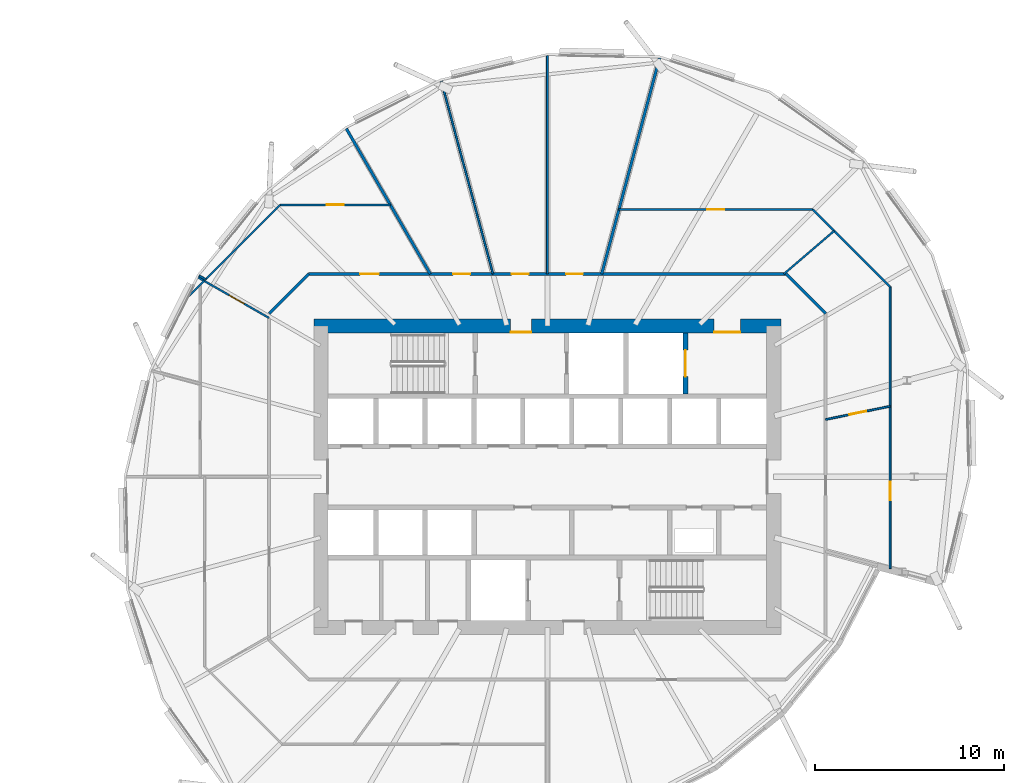
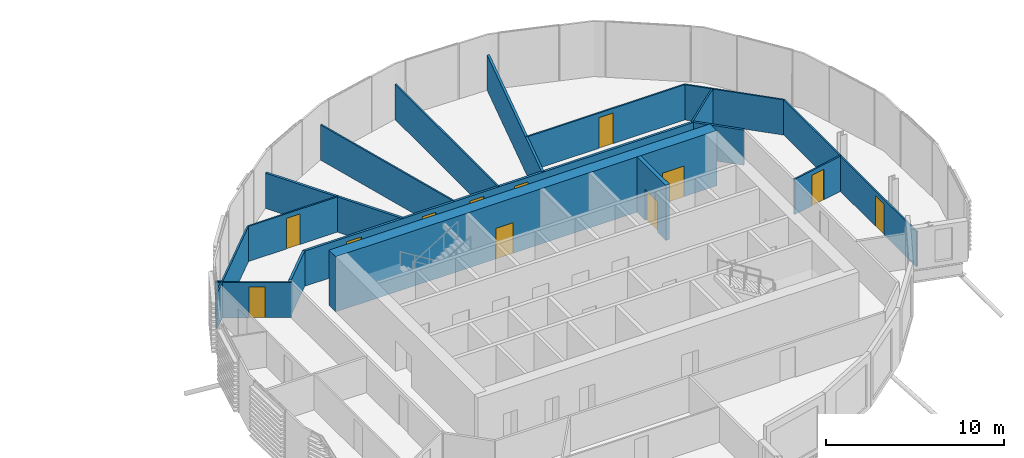
# One storey, part 27 of 42: 19 walls, 12 doors, 12 openings.
"""IFC4 building model written with IfcOpenShell, lengths in metres."""

import ifcopenshell
import ifcopenshell.guid

model = None  # the IFC model being written
_history = None  # IfcOwnerHistory: only IFC2X3 demands one
_inside = {}  # id of a spatial element -> (the spatial element, [elements in it])
_under = {}  # id of a project, library or spatial element -> (it, [spatial elements below it])
_declared = {}  # id of a project -> (the project, [libraries it declares])
_typed = {}  # id of a type object -> (the type object, [elements of that type])
_made_of = {}  # id of a material, layer set ... -> (it, [elements and type objects made of it])


def new_model(schema):
    """Start an empty IFC model of exactly this schema.

    Asked for "IFC4X3", IfcOpenShell would pick the latest addendum, in which some entities
    have other attributes; the version numbers below select the first issue.
    IFC2X3 requires an IfcOwnerHistory on every rooted entity: one is made here for all.
    """
    global model, _history
    if schema == "IFC4X3":
        model = ifcopenshell.file(schema_version=(4, 3, 0, 0))
    else:
        model = ifcopenshell.file(schema=schema)
    _inside.clear()
    _under.clear()
    _declared.clear()
    _typed.clear()
    _made_of.clear()
    _history = None
    if model.schema == "IFC2X3":
        org = make("IfcOrganization", Name="unknown")
        user = make(
            "IfcPersonAndOrganization",
            ThePerson=make("IfcPerson", FamilyName="unknown"),
            TheOrganization=org,
        )
        app = make(
            "IfcApplication",
            ApplicationDeveloper=org,
            Version="unknown",
            ApplicationFullName="unknown",
            ApplicationIdentifier="unknown",
        )
        _history = make(
            "IfcOwnerHistory",
            OwningUser=user,
            OwningApplication=app,
            ChangeAction="ADDED",
            CreationDate=0,
        )
    return model


def make(cls, **values):
    """One entity of the class cls with the attributes given. An attribute that is None is left unset."""
    return model.create_entity(
        cls, **{name: value for name, value in values.items() if value is not None}
    )


def rooted(cls, **values):
    """An entity with a GlobalId (a new one), such as an element, a storey or a relation."""
    return make(cls, GlobalId=ifcopenshell.guid.new(), OwnerHistory=_history, **values)


def si_unit(unit_type, name, prefix=None):
    """IfcSIUnit, for example si_unit("LENGTHUNIT", "METRE", prefix="MILLI")."""
    return make("IfcSIUnit", UnitType=unit_type, Prefix=prefix, Name=name)


def assignment(units):
    """IfcUnitAssignment: the units of a project."""
    return None if units is None else make("IfcUnitAssignment", Units=units)


def point(xyz):
    """IfcCartesianPoint."""
    return None if xyz is None else make("IfcCartesianPoint", Coordinates=xyz)


def direction(xyz):
    """IfcDirection."""
    return None if xyz is None else make("IfcDirection", DirectionRatios=xyz)


def frame(location, z_axis=None, x_axis=None):
    """IfcAxis2Placement3D, a coordinate frame: its origin and axes. An axis left out is left unset."""
    return make(
        "IfcAxis2Placement3D",
        Location=point(location),
        Axis=direction(z_axis),
        RefDirection=direction(x_axis),
    )


def frame_2d(location, x_axis=None):
    """IfcAxis2Placement2D, a coordinate frame in the plane: its origin and x axis."""
    return make(
        "IfcAxis2Placement2D", Location=point(location), RefDirection=direction(x_axis)
    )


def origin():
    """The frame at (0, 0, 0) with its axes left unset."""
    return frame((0.0, 0.0, 0.0))


def place(relative_to, where):
    """IfcLocalPlacement: puts the frame where relative to a parent placement (None: the world)."""
    return make(
        "IfcLocalPlacement", PlacementRelTo=relative_to, RelativePlacement=where
    )


def context(
    kind, dimensions, precision=None, world=None, true_north=None, identifier=None
):
    """IfcGeometricRepresentationContext, for example the 3D "Model" context."""
    return make(
        "IfcGeometricRepresentationContext",
        ContextIdentifier=identifier,
        ContextType=kind,
        CoordinateSpaceDimension=dimensions,
        Precision=precision,
        WorldCoordinateSystem=world,
        TrueNorth=true_north,
    )


def subcontext(parent, identifier, kind, view, scale=None):
    """IfcGeometricRepresentationSubContext, for example "Body" below "Model"."""
    return make(
        "IfcGeometricRepresentationSubContext",
        ContextIdentifier=identifier,
        ContextType=kind,
        ParentContext=parent,
        TargetScale=scale,
        TargetView=view,
    )


def project(units=None, contexts=None):
    """IfcProject with its units and contexts."""
    return rooted(
        "IfcProject",
        Name="project",
        RepresentationContexts=contexts,
        UnitsInContext=assignment(units),
    )


def spatial(cls, under=None, at=None, **own):
    """A site, building, storey or space (cls), placed at a placement, below another one or the project."""
    s = rooted(cls, ObjectPlacement=at, **own)
    if under is not None:
        _under.setdefault(under.id(), (under, []))[1].append(s)
    return s


def profile(cls, at=None, kind="AREA", **sizes):
    """A parametric profile (cls). Its sizes go by their IFC names, for example OverallWidth=200.0."""
    return make(cls, ProfileType=kind, Position=at, **sizes)


def rectangle(**sizes):
    """IfcRectangleProfileDef."""
    return profile("IfcRectangleProfileDef", **sizes)


def extrude(swept, where, along, depth):
    """IfcExtrudedAreaSolid: the profile swept, set in the frame where, extruded along a direction by depth."""
    return make(
        "IfcExtrudedAreaSolid",
        SweptArea=swept,
        Position=where,
        ExtrudedDirection=direction(along),
        Depth=depth,
    )


def shape(context_of_items, identifier, shape_type, items):
    """IfcShapeRepresentation: the items that make up one representation, for example the "Body"."""
    return make(
        "IfcShapeRepresentation",
        ContextOfItems=context_of_items,
        RepresentationIdentifier=identifier,
        RepresentationType=shape_type,
        Items=items,
    )


def material(Name=None, Category=None):
    """IfcMaterial."""
    return make("IfcMaterial", Name=Name, Category=Category)


def layer(
    of_material, thickness, ventilated=None, Name=None, Category=None, Priority=None
):
    """IfcMaterialLayer: one layer of a wall or slab, of a material (None: an air gap)."""
    return make(
        "IfcMaterialLayer",
        Material=of_material,
        LayerThickness=thickness,
        IsVentilated=ventilated,
        Name=Name,
        Category=Category,
        Priority=Priority,
    )


def layer_set(layers, Name=None):
    """IfcMaterialLayerSet."""
    return make("IfcMaterialLayerSet", MaterialLayers=layers, LayerSetName=Name)


def made_of(thing, what):
    """Note that an element or type object is made of a material, layer set ...; save() writes the relation."""
    if what is not None:
        _made_of.setdefault(what.id(), (what, []))[1].append(thing)
    return thing


def type_object(cls, material=None, **own):
    """A type object (cls), such as IfcWallType, which elements share."""
    return made_of(rooted(cls, **own), material)


def element(
    cls,
    number,
    at=None,
    inside=None,
    cuts=None,
    type_object=None,
    material=None,
    context=None,
    identifier="Body",
    shape_type=None,
    held_by="IfcProductDefinitionShape",
    body=None,
    shapes=None,
    **own,
):
    """One element of the class cls, such as IfcWall. Its Tag is "e" and its number.

    at: its placement. inside: the storey or other place that contains it. cuts: it is an
    opening in that element (IfcRelVoidsElement). A single representation is given by context,
    identifier, shape_type and body (its items); several are given by shapes. held_by: the class
    of the entity that holds the representations. save() writes the other relations.
    """
    e = rooted(cls, Tag="e%d" % number, ObjectPlacement=at, **own)
    if body is not None:
        shapes = [shape(context, identifier, shape_type, body)]
    if shapes is not None:
        e.Representation = make(held_by, Representations=shapes)
    if inside is not None:
        _inside.setdefault(inside.id(), (inside, []))[1].append(e)
    if cuts is not None:
        rooted(
            "IfcRelVoidsElement", RelatingBuildingElement=cuts, RelatedOpeningElement=e
        )
    if type_object is not None:
        _typed.setdefault(type_object.id(), (type_object, []))[1].append(e)
    return made_of(e, material)


def fill(opening, filler):
    """IfcRelFillsElement: the door or window that sits in an opening."""
    return rooted(
        "IfcRelFillsElement",
        RelatingOpeningElement=opening,
        RelatedBuildingElement=filler,
    )


def aggregate(whole, parts):
    """IfcRelAggregates: a whole, such as a stair, and the parts it consists of."""
    return rooted("IfcRelAggregates", RelatingObject=whole, RelatedObjects=parts)


def save(model, path):
    """Write the relations noted so far, then the file.

    IfcRelAggregates (storeys below a building ...), IfcRelContainedInSpatialStructure (elements
    in a storey), IfcRelDefinesByType, IfcRelAssociatesMaterial and IfcRelDeclares: one each for
    every whole, place, type object, material and project.
    """
    for whole, parts in _under.values():
        aggregate(whole, parts)
    for where, things in _inside.values():
        rooted(
            "IfcRelContainedInSpatialStructure",
            RelatedElements=things,
            RelatingStructure=where,
        )
    for kind, things in _typed.values():
        rooted("IfcRelDefinesByType", RelatedObjects=things, RelatingType=kind)
    for what, things in _made_of.values():
        rooted("IfcRelAssociatesMaterial", RelatedObjects=things, RelatingMaterial=what)
    for by, libraries in _declared.values():
        rooted("IfcRelDeclares", RelatingContext=by, RelatedDefinitions=libraries)
    model.write(path)


model = new_model("IFC4")

# Units and contexts
model_context = context("Model", 3, precision=1e-05, world=origin(), true_north=direction((0.0, 1.0)))
body_context = subcontext(model_context, "Body", "Model", "MODEL_VIEW")
ifc_project = project(units=[si_unit("LENGTHUNIT", "METRE"), si_unit("AREAUNIT", "SQUARE_METRE"), si_unit("VOLUMEUNIT", "CUBIC_METRE"), si_unit("PLANEANGLEUNIT", "RADIAN"), si_unit("MASSUNIT", "GRAM", prefix="KILO")], contexts=[model_context])

# Site, building, storey
site_placement = place(None, origin())
site = spatial("IfcSite", under=ifc_project, at=site_placement, CompositionType="ELEMENT")
building_placement = place(site_placement, origin())
building = spatial("IfcBuilding", under=site, at=building_placement, Name="Rimbun Link Towers", CompositionType="ELEMENT")
storey_placement = place(building_placement, frame((0.0, 0.0, 85.39990234375)))
storey = spatial("IfcBuildingStorey", under=building, at=storey_placement, Name="L20", CompositionType="ELEMENT", Elevation=85.39990234375)

# Wall, openings, doors
ifc_material_1 = material(Name="Concrete C60/75", Category="concrete")
ifc_layer_1 = layer(ifc_material_1, 0.75)
ifc_layer_set_1 = layer_set([ifc_layer_1], Name="Core shear wall 750")
wall_type_1 = type_object("IfcWallType", Name="Core shear wall 750", PredefinedType="SHEAR", material=ifc_layer_set_1)
wall_1_placement = place(storey_placement, frame((19.375, 8.0, 0.0), z_axis=(0.0, 0.0, 1.0), x_axis=(1.0, 0.0, 0.0)))
wall_1 = element("IfcWall", 1, at=wall_1_placement, inside=storey, type_object=wall_type_1, Name="L20 T2 core wall N", PredefinedType="SHEAR", context=body_context, shape_type="SweptSolid", body=[
    extrude(rectangle(XDim=24.75, YDim=0.75, at=frame_2d((12.375, 0.0))), origin(), (0.0, 0.0, 1.0), 3.800048828125),
])
opening_1_placement = place(wall_1_placement, frame((10.425048828125, 0.0, 0.0)))
opening_1 = element("IfcOpeningElement", 2, at=opening_1_placement, cuts=wall_1, Name="Opening C2DCF01N", PredefinedType="OPENING", context=body_context, shape_type="SweptSolid", body=[
    extrude(rectangle(XDim=1.10009765625, YDim=2.10009765625, at=frame_2d((0.550048828125, 1.050048828125))), frame((0.0, 0.385009765625, 0.0), z_axis=(0.0, -1.0, 0.0), x_axis=(1.0, 0.0, 0.0)), (0.0, 0.0, 1.0), 0.77001953125),
])
opening_2_placement = place(wall_1_placement, frame((21.21240234375, 0.0, 0.0)))
opening_2 = element("IfcOpeningElement", 3, at=opening_2_placement, cuts=wall_1, Name="Opening C2DSL02N", PredefinedType="OPENING", context=body_context, shape_type="SweptSolid", body=[
    extrude(rectangle(XDim=1.39990234375, YDim=2.10009765625, at=frame_2d((0.699951171875, 1.050048828125))), frame((0.0, 0.385009765625, 0.0), z_axis=(0.0, -1.0, 0.0), x_axis=(1.0, 0.0, 0.0)), (0.0, 0.0, 1.0), 0.77001953125),
])
ifc_material_2 = material(Name="Steel fire door set", Category="steel")
door_type_1 = type_object("IfcDoorType", Name="Core fire door single", OperationType="SINGLE_SWING_LEFT", PredefinedType="DOOR", material=ifc_material_2)
door_1_placement = place(opening_1_placement, origin())
door_1 = element("IfcDoor", 4, at=door_1_placement, inside=storey, type_object=door_type_1, Name="L20 T2 firefighting lobby n door", OperationType="SINGLE_SWING_LEFT", OverallHeight=2.10009765625, OverallWidth=1.10009765625, PredefinedType="DOOR", context=body_context, shape_type="SweptSolid", body=[
    extrude(rectangle(XDim=1.10009765625, YDim=2.10009765625, at=frame_2d((0.550048828125, 1.050048828125))), frame((0.0, -0.3251953125, 0.0), z_axis=(0.0, -1.0, 0.0), x_axis=(1.0, 0.0, 0.0)), (0.0, 0.0, 1.0), 0.050048828125),
])
fill(opening_1, door_1)
ifc_material_3 = material(Name="Steel fire door set", Category="steel")
door_type_2 = type_object("IfcDoorType", Name="Service lobby door double", OperationType="DOUBLE_DOOR_SINGLE_SWING", PredefinedType="DOOR", material=ifc_material_3)
door_2_placement = place(opening_2_placement, origin())
door_2 = element("IfcDoor", 5, at=door_2_placement, inside=storey, type_object=door_type_2, Name="L20 T2 service lobby door", OperationType="DOUBLE_DOOR_SINGLE_SWING", OverallHeight=2.10009765625, OverallWidth=1.39990234375, PredefinedType="DOOR", context=body_context, shape_type="SweptSolid", body=[
    extrude(rectangle(XDim=1.39990234375, YDim=2.10009765625, at=frame_2d((0.699951171875, 1.050048828125))), frame((0.0, -0.3251953125, 0.0), z_axis=(0.0, -1.0, 0.0), x_axis=(1.0, 0.0, 0.0)), (0.0, 0.0, 1.0), 0.050048828125),
])
fill(opening_2, door_2)

ifc_material_4 = material(Name="Plasterboard on steel stud, mineral wool", Category="steel")
ifc_layer_2 = layer(ifc_material_4, 0.14990234375)
ifc_layer_set_2 = layer_set([ifc_layer_2], Name="Corridor wall EI 30 150 mm")
wall_type_2 = type_object("IfcWallType", Name="Corridor wall EI 30 150 mm", PredefinedType="PARTITIONING", material=ifc_layer_set_2)
wall_2_placement = place(storey_placement, frame((19.098388671875, 10.75, 0.0), z_axis=(0.0, 0.0, 1.0), x_axis=(1.0, 0.0, 0.0)))
wall_2 = element("IfcWall", 6, at=wall_2_placement, inside=storey, type_object=wall_type_2, Name="Corridor wall EI 30 150 mm", PredefinedType="PARTITIONING", context=body_context, shape_type="SweptSolid", body=[
    extrude(rectangle(XDim=25.30322265625, YDim=0.14990234375, at=frame_2d((12.651611328125, 0.0))), origin(), (0.0, 0.0, 1.0), 2.420166015625),
])
opening_3_placement = place(wall_2_placement, frame((13.641845703125, 0.0, 0.0)))
opening_3 = element("IfcOpeningElement", 7, at=opening_3_placement, cuts=wall_2, Name="Opening D02", PredefinedType="OPENING", context=body_context, shape_type="SweptSolid", body=[
    extrude(rectangle(XDim=0.89990234375, YDim=2.10009765625, at=frame_2d((0.449951171875, 1.050048828125))), frame((0.0, 0.0849609375, 0.0), z_axis=(0.0, -1.0, 0.0), x_axis=(1.0, 0.0, 0.0)), (0.0, 0.0, 1.0), 0.169921875),
])
opening_4_placement = place(wall_2_placement, frame((10.761474609375, 0.0, 0.0)))
opening_4 = element("IfcOpeningElement", 8, at=opening_4_placement, cuts=wall_2, Name="Opening D02", PredefinedType="OPENING", context=body_context, shape_type="SweptSolid", body=[
    extrude(rectangle(XDim=0.89990234375, YDim=2.10009765625, at=frame_2d((0.449951171875, 1.050048828125))), frame((0.0, 0.0849609375, 0.0), z_axis=(0.0, -1.0, 0.0), x_axis=(1.0, 0.0, 0.0)), (0.0, 0.0, 1.0), 0.169921875),
])
opening_5_placement = place(wall_2_placement, frame((7.658203125, 0.0, 0.0)))
opening_5 = element("IfcOpeningElement", 9, at=opening_5_placement, cuts=wall_2, Name="Opening D02", PredefinedType="OPENING", context=body_context, shape_type="SweptSolid", body=[
    extrude(rectangle(XDim=0.89990234375, YDim=2.10009765625, at=frame_2d((0.449951171875, 1.050048828125))), frame((0.0, 0.0849609375, 0.0), z_axis=(0.0, -1.0, 0.0), x_axis=(1.0, 0.0, 0.0)), (0.0, 0.0, 1.0), 0.169921875),
])
opening_6_placement = place(wall_2_placement, frame((2.72265625, 0.0, 0.0)))
opening_6 = element("IfcOpeningElement", 10, at=opening_6_placement, cuts=wall_2, Name="Opening D01", PredefinedType="OPENING", context=body_context, shape_type="SweptSolid", body=[
    extrude(rectangle(XDim=1.0, YDim=2.10009765625, at=frame_2d((0.5, 1.050048828125))), frame((0.0, 0.0849609375, 0.0), z_axis=(0.0, -1.0, 0.0), x_axis=(1.0, 0.0, 0.0)), (0.0, 0.0, 1.0), 0.169921875),
])
ifc_material_5 = material(Name="Fire-resisting timber door leaf", Category="wood")
door_type_3 = type_object("IfcDoorType", Name="Fire door FD30S 1000", OperationType="NOTDEFINED", PredefinedType="DOOR", material=ifc_material_5)
door_3_placement = place(opening_6_placement, origin())
door_3 = element("IfcDoor", 11, at=door_3_placement, inside=storey, type_object=door_type_3, Name="Fire door FD30S 1000 to Reception", OperationType="SINGLE_SWING_LEFT", OverallHeight=2.10009765625, OverallWidth=1.0, PredefinedType="DOOR", context=body_context, shape_type="SweptSolid", body=[
    extrude(rectangle(XDim=1.0, YDim=2.10009765625, at=frame_2d((0.5, 1.050048828125))), frame((0.0, 0.02490234375, 0.0), z_axis=(0.0, -1.0, 0.0), x_axis=(1.0, 0.0, 0.0)), (0.0, 0.0, 1.0), 0.050048828125),
])
fill(opening_6, door_3)
ifc_material_6 = material(Name="Fire-resisting timber door leaf", Category="wood")
door_type_4 = type_object("IfcDoorType", Name="Fire door FD30S 900", OperationType="NOTDEFINED", PredefinedType="DOOR", material=ifc_material_6)
door_4_placement = place(opening_3_placement, origin())
door_4 = element("IfcDoor", 12, at=door_4_placement, inside=storey, type_object=door_type_4, Name="Fire door FD30S 900 to Cellular office", OperationType="SINGLE_SWING_RIGHT", OverallHeight=2.10009765625, OverallWidth=0.89990234375, PredefinedType="DOOR", context=body_context, shape_type="SweptSolid", body=[
    extrude(rectangle(XDim=0.89990234375, YDim=2.10009765625, at=frame_2d((0.449951171875, 1.050048828125))), frame((0.0, 0.02490234375, 0.0), z_axis=(0.0, -1.0, 0.0), x_axis=(1.0, 0.0, 0.0)), (0.0, 0.0, 1.0), 0.050048828125),
])
fill(opening_3, door_4)
door_5_placement = place(opening_4_placement, origin())
door_5 = element("IfcDoor", 13, at=door_5_placement, inside=storey, type_object=door_type_4, Name="Fire door FD30S 900 to Meeting room", OperationType="SINGLE_SWING_LEFT", OverallHeight=2.10009765625, OverallWidth=0.89990234375, PredefinedType="DOOR", context=body_context, shape_type="SweptSolid", body=[
    extrude(rectangle(XDim=0.89990234375, YDim=2.10009765625, at=frame_2d((0.449951171875, 1.050048828125))), frame((0.0, 0.02490234375, 0.0), z_axis=(0.0, -1.0, 0.0), x_axis=(1.0, 0.0, 0.0)), (0.0, 0.0, 1.0), 0.050048828125),
])
fill(opening_4, door_5)
door_6_placement = place(opening_5_placement, origin())
door_6 = element("IfcDoor", 14, at=door_6_placement, inside=storey, type_object=door_type_4, Name="Fire door FD30S 900 to Meeting room", OperationType="SINGLE_SWING_RIGHT", OverallHeight=2.10009765625, OverallWidth=0.89990234375, PredefinedType="DOOR", context=body_context, shape_type="SweptSolid", body=[
    extrude(rectangle(XDim=0.89990234375, YDim=2.10009765625, at=frame_2d((0.449951171875, 1.050048828125))), frame((0.0, 0.02490234375, 0.0), z_axis=(0.0, -1.0, 0.0), x_axis=(1.0, 0.0, 0.0)), (0.0, 0.0, 1.0), 0.050048828125),
])
fill(opening_5, door_6)

# Walls
for number, where, z_axis, x_axis, name in (
    (15, (46.5, 8.651611328125, 0.0), (0.0, 0.0, 1.0), (-0.707106781187, 0.707106781187, 0.0), "Corridor wall EI 30 150 mm"),
    (16, (19.098388671875, 10.75, 0.0), (0.0, 0.0, 1.0), (-0.707106781187, -0.707106781187, 0.0), "Corridor wall EI 30 150 mm"),
):
    element("IfcWall", number, at=place(storey_placement, frame(where, z_axis=z_axis, x_axis=x_axis)), inside=storey, type_object=wall_type_2, Name=name, PredefinedType="PARTITIONING", context=body_context, shape_type="SweptSolid", body=[
        extrude(rectangle(XDim=2.967529296875, YDim=0.14990234375, at=frame_2d((1.48388671875, 0.0))), origin(), (0.0, 0.0, 1.0), 2.420166015625),
    ])

# Wall, opening, door
ifc_material_7 = material(Name="Plasterboard on steel stud", Category="steel")
ifc_layer_3 = layer(ifc_material_7, 0.10009765625)
ifc_layer_set_3 = layer_set([ifc_layer_3], Name="Plasterboard partition 100 mm")
wall_type_3 = type_object("IfcWallType", Name="Plasterboard partition 100 mm", PredefinedType="PARTITIONING", material=ifc_layer_set_3)
wall_3_placement = place(storey_placement, frame((46.5, 3.032958984375, 0.0), z_axis=(0.0, 0.0, 1.0), x_axis=(0.979498454858, 0.201451673933, 0.0)))
wall_3 = element("IfcWall", 17, at=wall_3_placement, inside=storey, type_object=wall_type_3, Name="Plasterboard partition 100 mm", PredefinedType="PARTITIONING", context=body_context, shape_type="SweptSolid", body=[
    extrude(rectangle(XDim=3.491455078125, YDim=0.10009765625, at=frame_2d((1.74560546875, 0.0))), origin(), (0.0, 0.0, 1.0), 2.420166015625),
])
opening_7_placement = place(wall_3_placement, frame((1.2958984375, 0.0, 0.0)))
opening_7 = element("IfcOpeningElement", 18, at=opening_7_placement, cuts=wall_3, Name="Opening D04", PredefinedType="OPENING", context=body_context, shape_type="SweptSolid", body=[
    extrude(rectangle(XDim=0.89990234375, YDim=2.10009765625, at=frame_2d((0.449951171875, 1.050048828125))), frame((0.0, 0.06005859375, 0.0), z_axis=(0.0, -1.0, 0.0), x_axis=(1.0, 0.0, 0.0)), (0.0, 0.0, 1.0), 0.1201171875),
])
ifc_material_8 = material(Name="Timber door leaf", Category="wood")
door_type_5 = type_object("IfcDoorType", Name="Flush door 900", OperationType="NOTDEFINED", PredefinedType="DOOR", material=ifc_material_8)
door_7_placement = place(opening_7_placement, origin())
door_7 = element("IfcDoor", 19, at=door_7_placement, inside=storey, type_object=door_type_5, Name="Flush door 900 to Meeting room", OperationType="SINGLE_SWING_RIGHT", OverallHeight=2.10009765625, OverallWidth=0.89990234375, PredefinedType="DOOR", context=body_context, shape_type="SweptSolid", body=[
    extrude(rectangle(XDim=0.89990234375, YDim=2.10009765625, at=frame_2d((0.449951171875, 1.050048828125))), frame((0.0, 0.02490234375, 0.0), z_axis=(0.0, -1.0, 0.0), x_axis=(1.0, 0.0, 0.0)), (0.0, 0.0, 1.0), 0.050048828125),
])
fill(opening_7, door_7)

wall_4_placement = place(storey_placement, frame((49.919921875, 10.068359375, 0.0), z_axis=(0.0, 0.0, 1.0), x_axis=(0.0, -1.0, 0.0)))
wall_4 = element("IfcWall", 20, at=wall_4_placement, inside=storey, type_object=wall_type_3, Name="Plasterboard partition 100 mm", PredefinedType="PARTITIONING", context=body_context, shape_type="SweptSolid", body=[
    extrude(rectangle(XDim=14.93701171875, YDim=0.10009765625, at=frame_2d((7.468505859375, 0.0))), origin(), (0.0, 0.0, 1.0), 2.420166015625),
])
opening_8_placement = place(wall_4_placement, frame((10.319580078125, 0.0, 0.0)))
opening_8 = element("IfcOpeningElement", 21, at=opening_8_placement, cuts=wall_4, Name="Opening D03", PredefinedType="OPENING", context=body_context, shape_type="SweptSolid", body=[
    extrude(rectangle(XDim=1.0, YDim=2.10009765625, at=frame_2d((0.5, 1.050048828125))), frame((0.0, 0.06005859375, 0.0), z_axis=(0.0, -1.0, 0.0), x_axis=(1.0, 0.0, 0.0)), (0.0, 0.0, 1.0), 0.1201171875),
])
ifc_material_9 = material(Name="Timber door leaf", Category="wood")
door_type_6 = type_object("IfcDoorType", Name="Flush door 1000", OperationType="NOTDEFINED", PredefinedType="DOOR", material=ifc_material_9)
door_8_placement = place(opening_8_placement, origin())
door_8 = element("IfcDoor", 22, at=door_8_placement, inside=storey, type_object=door_type_6, Name="Flush door 1000 to Open office", OperationType="SINGLE_SWING_LEFT", OverallHeight=2.10009765625, OverallWidth=1.0, PredefinedType="DOOR", context=body_context, shape_type="SweptSolid", body=[
    extrude(rectangle(XDim=1.0, YDim=2.10009765625, at=frame_2d((0.5, 1.050048828125))), frame((0.0, 0.02490234375, 0.0), z_axis=(0.0, -1.0, 0.0), x_axis=(1.0, 0.0, 0.0)), (0.0, 0.0, 1.0), 0.050048828125),
])
fill(opening_8, door_8)

# Walls
wall_5_placement = place(storey_placement, frame((46.9541015625, 13.0341796875, 0.0), z_axis=(0.0, 0.0, 1.0), x_axis=(-0.759187849276, -0.650871576819, 0.0)))
element("IfcWall", 23, at=wall_5_placement, inside=storey, type_object=wall_type_3, Name="Plasterboard partition 100 mm", PredefinedType="PARTITIONING", context=body_context, shape_type="SweptSolid", body=[
    extrude(rectangle(XDim=3.509521484375, YDim=0.10009765625, at=frame_2d((1.7548828125, 0.0))), origin(), (0.0, 0.0, 1.0), 2.420166015625),
])
wall_6_placement = place(storey_placement, frame((49.919921875, 10.068359375, 0.0), z_axis=(0.0, 0.0, 1.0), x_axis=(-0.707106781187, 0.707106781187, 0.0)))
element("IfcWall", 24, at=wall_6_placement, inside=storey, type_object=wall_type_3, Name="Plasterboard partition 100 mm", PredefinedType="PARTITIONING", context=body_context, shape_type="SweptSolid", body=[
    extrude(rectangle(XDim=5.800537109375, YDim=0.10009765625, at=frame_2d((2.900390625, 0.0))), origin(), (0.0, 0.0, 1.0), 2.420166015625),
])

# Wall, opening, door
wall_7_placement = place(storey_placement, frame((45.818359375, 14.169921875, 0.0), z_axis=(0.0, 0.0, 1.0), x_axis=(-1.0, 0.0, 0.0)))
wall_7 = element("IfcWall", 25, at=wall_7_placement, inside=storey, type_object=wall_type_3, Name="Plasterboard partition 100 mm", PredefinedType="PARTITIONING", context=body_context, shape_type="SweptSolid", body=[
    extrude(rectangle(XDim=10.271484375, YDim=0.10009765625, at=frame_2d((5.1357421875, 0.0))), origin(), (0.0, 0.0, 1.0), 2.420166015625),
])
opening_9_placement = place(wall_7_placement, frame((4.685791015625, 0.0, 0.0)))
opening_9 = element("IfcOpeningElement", 26, at=opening_9_placement, cuts=wall_7, Name="Opening D04", PredefinedType="OPENING", context=body_context, shape_type="SweptSolid", body=[
    extrude(rectangle(XDim=0.89990234375, YDim=2.10009765625, at=frame_2d((0.449951171875, 1.050048828125))), frame((0.0, 0.06005859375, 0.0), z_axis=(0.0, -1.0, 0.0), x_axis=(1.0, 0.0, 0.0)), (0.0, 0.0, 1.0), 0.1201171875),
])
door_9_placement = place(opening_9_placement, origin())
door_9 = element("IfcDoor", 27, at=door_9_placement, inside=storey, type_object=door_type_5, Name="Flush door 900 to Print room", OperationType="SINGLE_SWING_RIGHT", OverallHeight=2.10009765625, OverallWidth=0.89990234375, PredefinedType="DOOR", context=body_context, shape_type="SweptSolid", body=[
    extrude(rectangle(XDim=0.89990234375, YDim=2.10009765625, at=frame_2d((0.449951171875, 1.050048828125))), frame((0.0, 0.02490234375, 0.0), z_axis=(0.0, -1.0, 0.0), x_axis=(1.0, 0.0, 0.0)), (0.0, 0.0, 1.0), 0.050048828125),
])
fill(opening_9, door_9)

# Walls
wall_8_placement = place(storey_placement, frame((31.75, 22.328369140625, 0.0), z_axis=(0.0, 0.0, 1.0), x_axis=(0.0, -1.0, 0.0)))
element("IfcWall", 28, at=wall_8_placement, inside=storey, type_object=wall_type_3, Name="Plasterboard partition 100 mm", PredefinedType="PARTITIONING", context=body_context, shape_type="SweptSolid", body=[
    extrude(rectangle(XDim=11.578369140625, YDim=0.10009765625, at=frame_2d((5.7890625, 0.0))), origin(), (0.0, 0.0, 1.0), 2.420166015625),
])
wall_9_placement = place(storey_placement, frame((26.12744140625, 20.983642578125, 0.0), z_axis=(0.0, 0.0, 1.0), x_axis=(0.258805579513, -0.965929434282, 0.0)))
element("IfcWall", 29, at=wall_9_placement, inside=storey, type_object=wall_type_3, Name="Plasterboard partition 100 mm", PredefinedType="PARTITIONING", context=body_context, shape_type="SweptSolid", body=[
    extrude(rectangle(XDim=10.5947265625, YDim=0.10009765625, at=frame_2d((5.29736328125, 0.0))), origin(), (0.0, 0.0, 1.0), 2.420166015625),
])

# Wall, opening, door
wall_10_placement = place(storey_placement, frame((17.0, 8.418212890625, 0.0), z_axis=(0.0, 0.0, 1.0), x_axis=(-0.868499362521, 0.495690283645, 0.0)))
wall_10 = element("IfcWall", 30, at=wall_10_placement, inside=storey, type_object=wall_type_3, Name="Plasterboard partition 100 mm", PredefinedType="PARTITIONING", context=body_context, shape_type="SweptSolid", body=[
    extrude(rectangle(XDim=4.337158203125, YDim=0.10009765625, at=frame_2d((2.16845703125, 0.0))), origin(), (0.0, 0.0, 1.0), 2.420166015625),
])
opening_10_placement = place(wall_10_placement, frame((1.53271484375, 0.0, 0.0)))
opening_10 = element("IfcOpeningElement", 31, at=opening_10_placement, cuts=wall_10, Name="Opening D04", PredefinedType="OPENING", context=body_context, shape_type="SweptSolid", body=[
    extrude(rectangle(XDim=0.89990234375, YDim=2.10009765625, at=frame_2d((0.449951171875, 1.050048828125))), frame((0.0, 0.06005859375, 0.0), z_axis=(0.0, -1.0, 0.0), x_axis=(1.0, 0.0, 0.0)), (0.0, 0.0, 1.0), 0.1201171875),
])
door_10_placement = place(opening_10_placement, origin())
door_10 = element("IfcDoor", 32, at=door_10_placement, inside=storey, type_object=door_type_5, Name="Flush door 900 to Meeting room", OperationType="SINGLE_SWING_RIGHT", OverallHeight=2.10009765625, OverallWidth=0.89990234375, PredefinedType="DOOR", context=body_context, shape_type="SweptSolid", body=[
    extrude(rectangle(XDim=0.89990234375, YDim=2.10009765625, at=frame_2d((0.449951171875, 1.050048828125))), frame((0.0, 0.02490234375, 0.0), z_axis=(0.0, -1.0, 0.0), x_axis=(1.0, 0.0, 0.0)), (0.0, 0.0, 1.0), 0.050048828125),
])
fill(opening_10, door_10)

wall_11_placement = place(storey_placement, frame((17.582275390625, 14.409912109375, 0.0), z_axis=(0.0, 0.0, 1.0), x_axis=(1.0, 0.0, 0.0)))
wall_11 = element("IfcWall", 33, at=wall_11_placement, inside=storey, type_object=wall_type_3, Name="Plasterboard partition 100 mm", PredefinedType="PARTITIONING", context=body_context, shape_type="SweptSolid", body=[
    extrude(rectangle(XDim=5.84814453125, YDim=0.10009765625, at=frame_2d((2.924072265625, 0.0))), origin(), (0.0, 0.0, 1.0), 2.420166015625),
])
opening_11_placement = place(wall_11_placement, frame((2.47412109375, 0.0, 0.0)))
opening_11 = element("IfcOpeningElement", 34, at=opening_11_placement, cuts=wall_11, Name="Opening D04", PredefinedType="OPENING", context=body_context, shape_type="SweptSolid", body=[
    extrude(rectangle(XDim=0.89990234375, YDim=2.10009765625, at=frame_2d((0.449951171875, 1.050048828125))), frame((0.0, 0.06005859375, 0.0), z_axis=(0.0, -1.0, 0.0), x_axis=(1.0, 0.0, 0.0)), (0.0, 0.0, 1.0), 0.1201171875),
])
door_11_placement = place(opening_11_placement, origin())
door_11 = element("IfcDoor", 35, at=door_11_placement, inside=storey, type_object=door_type_5, Name="Flush door 900 to Executive office", OperationType="SINGLE_SWING_LEFT", OverallHeight=2.10009765625, OverallWidth=0.89990234375, PredefinedType="DOOR", context=body_context, shape_type="SweptSolid", body=[
    extrude(rectangle(XDim=0.89990234375, YDim=2.10009765625, at=frame_2d((0.449951171875, 1.050048828125))), frame((0.0, 0.02490234375, 0.0), z_axis=(0.0, -1.0, 0.0), x_axis=(1.0, 0.0, 0.0)), (0.0, 0.0, 1.0), 0.050048828125),
])
fill(opening_11, door_11)

# Walls
wall_12_placement = place(storey_placement, frame((17.582275390625, 14.409912109375, 0.0), z_axis=(0.0, 0.0, 1.0), x_axis=(-0.707106781187, -0.707106781187, 0.0)))
element("IfcWall", 36, at=wall_12_placement, inside=storey, type_object=wall_type_3, Name="Plasterboard partition 100 mm", PredefinedType="PARTITIONING", context=body_context, shape_type="SweptSolid", body=[
    extrude(rectangle(XDim=5.585693359375, YDim=0.10009765625, at=frame_2d((2.79296875, 0.0))), origin(), (0.0, 0.0, 1.0), 2.420166015625),
])
wall_13_placement = place(storey_placement, frame((13.578125, 10.40576171875, 0.0), z_axis=(0.0, 0.0, 1.0), x_axis=(-0.707106781187, -0.707106781187, 0.0)))
element("IfcWall", 37, at=wall_13_placement, inside=storey, type_object=wall_type_3, Name="Plasterboard partition 100 mm", PredefinedType="PARTITIONING", context=body_context, shape_type="SweptSolid", body=[
    extrude(rectangle(XDim=1.1787109375, YDim=0.10009765625, at=frame_2d((0.58935546875, 0.0))), origin(), (0.0, 0.0, 1.0), 2.420166015625),
])
wall_14_placement = place(storey_placement, frame((13.2939453125, 10.655517578125, 0.0), z_axis=(0.0, 0.0, 1.0), x_axis=(0.866237568633, -0.499632339514, 0.0)))
element("IfcWall", 38, at=wall_14_placement, inside=storey, type_object=wall_type_3, Name="Plasterboard partition 100 mm", PredefinedType="PARTITIONING", context=body_context, shape_type="SweptSolid", body=[
    extrude(rectangle(XDim=0.390869140625, YDim=0.10009765625, at=frame_2d((0.1953125, 0.0))), origin(), (0.0, 0.0, 1.0), 2.420166015625),
])

# Wall, opening, door
ifc_material_10 = material(Name="Concrete C60/75", Category="concrete")
ifc_layer_4 = layer(ifc_material_10, 0.25)
ifc_layer_set_4 = layer_set([ifc_layer_4], Name="Shaft wall 250")
wall_type_4 = type_object("IfcWallType", Name="Shaft wall 250", PredefinedType="SHEAR", material=ifc_layer_set_4)
wall_15_placement = place(storey_placement, frame((39.074951171875, 4.39990234375, 0.0), z_axis=(0.0, 0.0, 1.0), x_axis=(0.0, 1.0, 0.0)))
wall_15 = element("IfcWall", 39, at=wall_15_placement, inside=storey, type_object=wall_type_4, Name="L20 T2 core wall A4", PredefinedType="SHEAR", context=body_context, shape_type="SweptSolid", body=[
    extrude(rectangle(XDim=3.22509765625, YDim=0.25, at=frame_2d((1.612548828125, 0.0))), origin(), (0.0, 0.0, 1.0), 3.800048828125),
])
opening_12_placement = place(wall_15_placement, frame((0.91259765625, 0.0, 0.0)))
opening_12 = element("IfcOpeningElement", 40, at=opening_12_placement, cuts=wall_15, Name="Opening LD-T2-GL1", PredefinedType="OPENING", context=body_context, shape_type="SweptSolid", body=[
    extrude(rectangle(XDim=1.39990234375, YDim=2.10009765625, at=frame_2d((0.699951171875, 1.050048828125))), frame((0.0, 0.135009765625, 0.0), z_axis=(0.0, -1.0, 0.0), x_axis=(1.0, 0.0, 0.0)), (0.0, 0.0, 1.0), 0.27001953125),
])
ifc_material_11 = material(Name="Stainless steel grade 316", Category="steel")
door_type_7 = type_object("IfcDoorType", Name="Goods lift landing door", OperationType="DOUBLE_DOOR_SLIDING", PredefinedType="DOOR", material=ifc_material_11)
door_12_placement = place(opening_12_placement, origin())
door_12 = element("IfcDoor", 41, at=door_12_placement, inside=storey, type_object=door_type_7, Name="L20 T2 lift GL1 landing door", OperationType="DOUBLE_DOOR_SLIDING", OverallHeight=2.10009765625, OverallWidth=1.39990234375, PredefinedType="DOOR", context=body_context, shape_type="SweptSolid", body=[
    extrude(rectangle(XDim=1.39990234375, YDim=2.10009765625, at=frame_2d((0.699951171875, 1.050048828125))), frame((0.0, 0.02490234375, 0.0), z_axis=(0.0, -1.0, 0.0), x_axis=(1.0, 0.0, 0.0)), (0.0, 0.0, 1.0), 0.050048828125),
])
fill(opening_12, door_12)

# Walls
ifc_material_12 = material(Name="Plasterboard on steel stud, mineral wool", Category="steel")
ifc_layer_5 = layer(ifc_material_12, 0.14990234375)
ifc_layer_set_5 = layer_set([ifc_layer_5], Name="Tenancy separation wall EI 60 150 mm")
wall_type_5 = type_object("IfcWallType", Name="Tenancy separation wall EI 60 150 mm", PredefinedType="PARTITIONING", material=ifc_layer_set_5)
wall_16_placement = place(storey_placement, frame((34.630615234375, 10.75, 0.0), z_axis=(0.0, 0.0, 1.0), x_axis=(0.258804356707, 0.965929761913, 0.0)))
element("IfcWall", 42, at=wall_16_placement, inside=storey, type_object=wall_type_5, Name="Tenancy separation wall EI 60 150 mm", PredefinedType="PARTITIONING", context=body_context, shape_type="SweptSolid", body=[
    extrude(rectangle(XDim=11.85693359375, YDim=0.14990234375, at=frame_2d((5.928466796875, 0.0))), origin(), (0.0, 0.0, 1.0), 2.420166015625),
])
wall_17_placement = place(storey_placement, frame((25.54345703125, 10.75, 0.0), z_axis=(0.0, 0.0, 1.0), x_axis=(-0.49999004235, 0.86603115276, 0.0)))
element("IfcWall", 43, at=wall_17_placement, inside=storey, type_object=wall_type_5, Name="Tenancy separation wall EI 60 150 mm", PredefinedType="PARTITIONING", context=body_context, shape_type="SweptSolid", body=[
    extrude(rectangle(XDim=8.898193359375, YDim=0.14990234375, at=frame_2d((4.44921875, 0.0))), origin(), (0.0, 0.0, 1.0), 2.420166015625),
])

save(model, "model.ifc")
